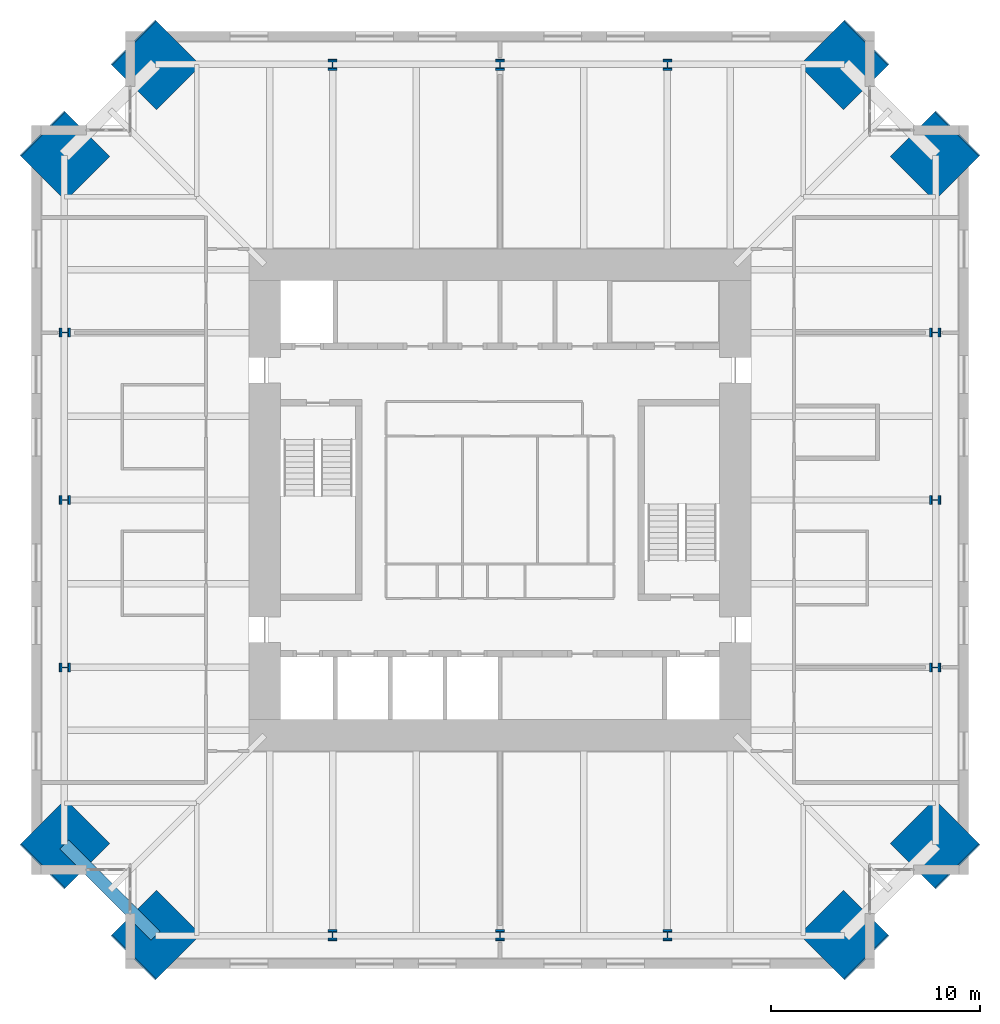
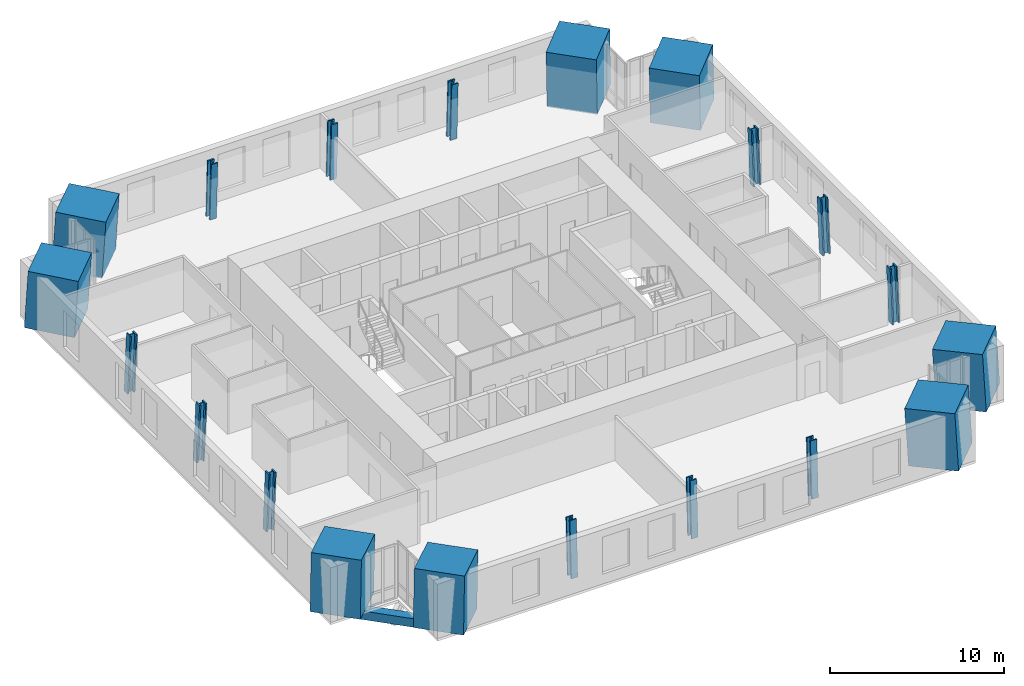
# One storey, part 1 of 18: 20 columns, 1 beam.
"""IFC4 building model written with IfcOpenShell, lengths in metres."""

from ifc_helpers import new_model, si_unit, direction, frame, origin, origin_2d, place, context, subcontext, project, spatial, rectangle, hollow_rectangle, i_section, extrude, material, material_profile, profile_set, type_object, element, save


model = new_model("IFC4")

# Units and contexts
model_context = context("Model", 3, precision=1e-05, world=origin(), true_north=direction((0.0, 1.0)))
body_context = subcontext(model_context, "Body", "Model", "MODEL_VIEW")
ifc_project = project(units=[si_unit("LENGTHUNIT", "METRE"), si_unit("AREAUNIT", "SQUARE_METRE"), si_unit("VOLUMEUNIT", "CUBIC_METRE"), si_unit("PLANEANGLEUNIT", "RADIAN"), si_unit("MASSUNIT", "GRAM", prefix="KILO")], contexts=[model_context])

# Site, building, storey
site_placement = place(None, origin())
site = spatial("IfcSite", under=ifc_project, at=site_placement, CompositionType="ELEMENT")
building_placement = place(site_placement, origin())
building = spatial("IfcBuilding", under=site, at=building_placement, Name="Peilmerk Tower", CompositionType="ELEMENT")
storey_placement = place(building_placement, frame((0.0, 0.0, 249.800048828125)))
storey = spatial("IfcBuildingStorey", under=building, at=storey_placement, Name="L55", CompositionType="ELEMENT", Elevation=249.800048828125)

# Columns
ifc_material_1 = material(Name="Concrete C90/105", Category="concrete")
ifc_material_profile_1 = material_profile(ifc_material_1, rectangle(XDim=3.0, YDim=3.0, at=origin_2d()), Name="RC 3000x3000")
ifc_profile_set_1 = profile_set([ifc_material_profile_1], Name="Concrete C90/105")
column_type_1 = type_object("IfcColumnType", Name="MC3 3000x3000 encased mega column", PredefinedType="COLUMN", material=ifc_profile_set_1)
for number, where, z_axis, x_axis, name in (
    (1, (16.47412109375, 20.82421875, 0.0), (-0.040217894151, -0.040278830354, 0.998378754189), (0.707641859868, -0.706571297296, 0.0), "Mega column MC3 NE_N L55"),
    (2, (20.82421875, 16.47412109375, 0.0), (-0.040278830354, -0.040217894151, 0.998378754189), (0.706571297296, -0.707641859868, 0.0), "Mega column MC3 NE_E L55"),
    (3, (20.82421875, -16.47412109375, 0.0), (-0.040278830354, 0.040217894151, 0.998378754189), (-0.706571297296, -0.707641859868, 0.0), "Mega column MC3 SE_E L55"),
    (4, (16.47412109375, -20.82421875, 0.0), (-0.040217894151, 0.040278830354, 0.998378754189), (-0.707641859868, -0.706571297296, 0.0), "Mega column MC3 SE_S L55"),
    (5, (-16.47412109375, -20.82421875, 0.0), (0.040217894151, 0.040278830354, 0.998378754189), (-0.707641859868, 0.706571297296, 0.0), "Mega column MC3 SW_S L55"),
    (6, (-20.82421875, -16.47412109375, 0.0), (0.040278830354, 0.040217894151, 0.998378754189), (-0.706571297296, 0.707641859868, 0.0), "Mega column MC3 SW_W L55"),
    (7, (-20.82421875, 16.47412109375, 0.0), (0.040278830354, -0.040217894151, 0.998378754189), (0.706571297296, 0.707641859868, 0.0), "Mega column MC3 NW_W L55"),
    (8, (-16.47412109375, 20.82421875, 0.0), (0.040217894151, -0.040278830354, 0.998378754189), (0.707641859868, 0.706571297296, 0.0), "Mega column MC3 NW_N L55"),
):
    element("IfcColumn", number, at=place(storey_placement, frame(where, z_axis=z_axis, x_axis=x_axis)), inside=storey, type_object=column_type_1, Name=name, PredefinedType="COLUMN", context=body_context, shape_type="SweptSolid", body=[
        extrude(rectangle(XDim=3.0, YDim=3.0, at=origin_2d()), origin(), (0.0, 0.0, 1.0), 4.006591796875),
    ])
ifc_material_2 = material(Name="Steel S460", Category="steel")
ifc_material_profile_2 = material_profile(ifc_material_2, i_section(OverallWidth=0.431884765625, OverallDepth=0.498046875, WebThickness=0.0556640625, FlangeThickness=0.0888671875, at=origin_2d()), Name="HD 400x744")
ifc_profile_set_2 = profile_set([ifc_material_profile_2], Name="Steel S460")
column_type_2 = type_object("IfcColumnType", Name="SC7 HD 400x744 perimeter column", PredefinedType="COLUMN", material=ifc_profile_set_2)
for number, where, z_axis, x_axis, name in (
    (9, (0.0, 20.82421875, 0.0), (0.0, -0.040311445006, 0.999187163349), (1.0, 0.0, 0.0), "Perimeter column N+0 L55"),
    (10, (8.0, 20.82421875, 0.0), (0.0, -0.040311445006, 0.999187163349), (1.0, 0.0, 0.0), "Perimeter column N-8 L55"),
    (11, (-8.0, 20.82421875, 0.0), (0.0, -0.040311445006, 0.999187163349), (1.0, 0.0, 0.0), "Perimeter column N+8 L55"),
    (12, (20.82421875, 0.0, 0.0), (-0.040311445006, 0.0, 0.999187163349), (0.0, -1.0, 0.0), "Perimeter column E+0 L55"),
    (13, (20.82421875, -8.0, 0.0), (-0.040311445006, 0.0, 0.999187163349), (0.0, -1.0, 0.0), "Perimeter column E-8 L55"),
    (14, (20.82421875, 8.0, 0.0), (-0.040311445006, 0.0, 0.999187163349), (0.0, -1.0, 0.0), "Perimeter column E+8 L55"),
    (15, (0.0, -20.82421875, 0.0), (0.0, 0.040311445006, 0.999187163349), (-1.0, 0.0, 0.0), "Perimeter column S+0 L55"),
    (16, (-8.0, -20.82421875, 0.0), (0.0, 0.040311445006, 0.999187163349), (-1.0, 0.0, 0.0), "Perimeter column S-8 L55"),
    (17, (8.0, -20.82421875, 0.0), (0.0, 0.040311445006, 0.999187163349), (-1.0, 0.0, 0.0), "Perimeter column S+8 L55"),
    (18, (-20.82421875, 0.0, 0.0), (0.040311445006, 0.0, 0.999187163349), (0.0, 1.0, 0.0), "Perimeter column W+0 L55"),
    (19, (-20.82421875, 8.0, 0.0), (0.040311445006, 0.0, 0.999187163349), (0.0, 1.0, 0.0), "Perimeter column W-8 L55"),
    (20, (-20.82421875, -8.0, 0.0), (0.040311445006, 0.0, 0.999187163349), (0.0, 1.0, 0.0), "Perimeter column W+8 L55"),
):
    element("IfcColumn", number, at=place(storey_placement, frame(where, z_axis=z_axis, x_axis=x_axis)), inside=storey, type_object=column_type_2, Name=name, PredefinedType="COLUMN", context=body_context, shape_type="SweptSolid", body=[
        extrude(i_section(OverallWidth=0.431884765625, OverallDepth=0.498046875, WebThickness=0.0556640625, FlangeThickness=0.0888671875, at=origin_2d()), origin(), (0.0, 0.0, 1.0), 4.003173828125),
    ])

# Beam
ifc_material_profile_3 = material_profile(ifc_material_2, hollow_rectangle(XDim=0.60009765625, YDim=0.60009765625, WallThickness=0.06005859375, at=origin_2d()), Name="BOX 600x600x60")
ifc_profile_set_3 = profile_set([ifc_material_profile_3], Name="Steel S460")
beam_type = type_object("IfcBeamType", Name="B20 BOX 600x600x60 notch beam", PredefinedType="SPANDREL", material=ifc_profile_set_3)
beam_placement = place(storey_placement, frame((-16.47412109375, -20.82421875, -0.469970703125), z_axis=(-0.707106781187, 0.707106781187, 0.0), x_axis=(-0.707106781187, -0.707106781187, 0.0)))
element("IfcBeam", 21, at=beam_placement, inside=storey, type_object=beam_type, Name="Notch beam L55", PredefinedType="SPANDREL", context=body_context, shape_type="SweptSolid", body=[
    extrude(hollow_rectangle(XDim=0.60009765625, YDim=0.60009765625, WallThickness=0.06005859375, at=origin_2d()), origin(), (0.0, 0.0, 1.0), 6.15185546875),
])

save(model, "model.ifc")
